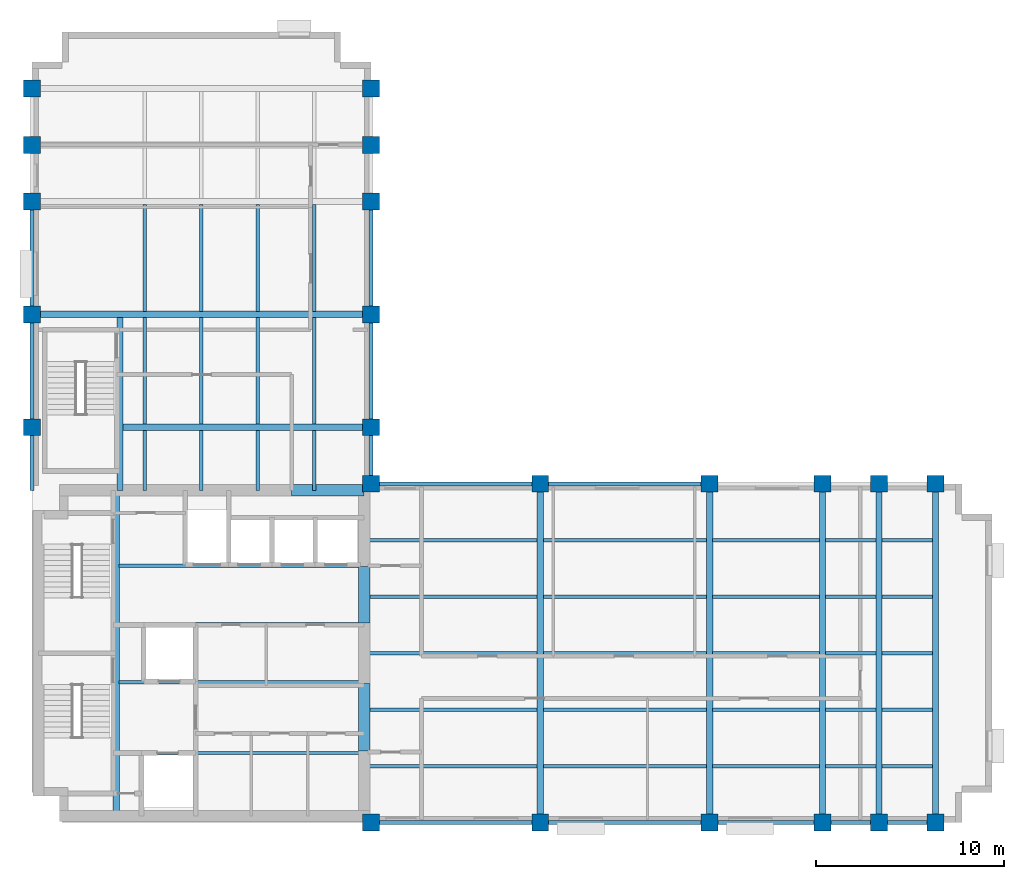
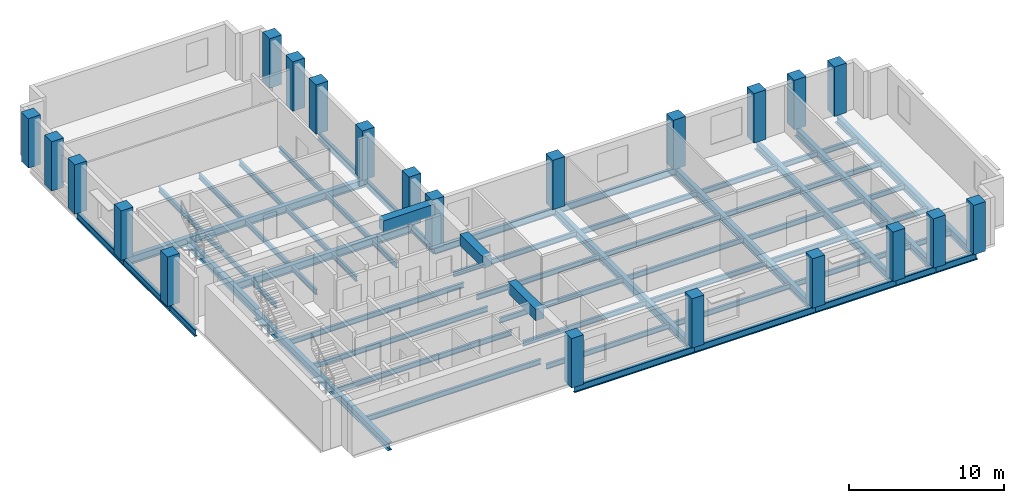
# One storey, part 1 of 7: 66 beams, 22 columns.
"""IFC4 building model written with IfcOpenShell, lengths in metres."""

from ifc_helpers import new_model, si_unit, direction, frame, origin, origin_2d, place, context, subcontext, project, spatial, rectangle, i_section, extrude, material, material_profile, profile_set, type_object, element, save


model = new_model("IFC4")

# Units and contexts
model_context = context("Model", 3, precision=1e-05, world=origin(), true_north=direction((0.0, 1.0)))
body_context = subcontext(model_context, "Body", "Model", "MODEL_VIEW")
ifc_project = project(units=[si_unit("LENGTHUNIT", "METRE"), si_unit("AREAUNIT", "SQUARE_METRE"), si_unit("VOLUMEUNIT", "CUBIC_METRE"), si_unit("PLANEANGLEUNIT", "RADIAN"), si_unit("MASSUNIT", "GRAM", prefix="KILO")], contexts=[model_context])

# Site, building, storey
site_placement = place(None, origin())
site = spatial("IfcSite", under=ifc_project, at=site_placement, CompositionType="ELEMENT")
building_placement = place(site_placement, origin())
building = spatial("IfcBuilding", under=site, at=building_placement, Name="Mawjdan Bourse Tower", CompositionType="ELEMENT")
storey_placement = place(building_placement, frame((0.0, 0.0, 168.300048828125)))
storey = spatial("IfcBuildingStorey", under=building, at=storey_placement, Name="L40", CompositionType="ELEMENT", Elevation=168.300048828125)

# Columns
ifc_material_1 = material(Name="Concrete C70/85", Category="concrete")
ifc_material_profile_1 = material_profile(ifc_material_1, rectangle(XDim=0.89990234375, YDim=0.89990234375, at=origin_2d()), Name="RC900X900")
ifc_profile_set_1 = profile_set([ifc_material_profile_1], Name="Concrete C70/85")
column_type = type_object("IfcColumnType", Name="COL-RC900X900", PredefinedType="COLUMN", material=ifc_profile_set_1)
for number, where, z_axis, x_axis, name in (
    (1, (24.0, 3.0, 0.0), (0.0, 0.0, 1.0), (1.0, 0.0, 0.0), "L40 Structural Column C-X240-Y30"),
    (2, (24.0, 21.0, 0.0), (0.0, 0.0, 1.0), (1.0, 0.0, 0.0), "L40 Structural Column C-X240-Y210"),
    (3, (33.0, 3.0, 0.0), (0.0, 0.0, 1.0), (1.0, 0.0, 0.0), "L40 Structural Column C-X330-Y30"),
    (4, (33.0, 21.0, 0.0), (0.0, 0.0, 1.0), (1.0, 0.0, 0.0), "L40 Structural Column C-X330-Y210"),
    (5, (42.0, 3.0, 0.0), (0.0, 0.0, 1.0), (1.0, 0.0, 0.0), "L40 Structural Column C-X420-Y30"),
    (6, (42.0, 21.0, 0.0), (0.0, 0.0, 1.0), (1.0, 0.0, 0.0), "L40 Structural Column C-X420-Y210"),
    (7, (48.0, 3.0, 0.0), (0.0, 0.0, 1.0), (1.0, 0.0, 0.0), "L40 Structural Column C-X480-Y30"),
    (8, (48.0, 21.0, 0.0), (0.0, 0.0, 1.0), (1.0, 0.0, 0.0), "L40 Structural Column C-X480-Y210"),
    (9, (51.0, 3.0, 0.0), (0.0, 0.0, 1.0), (1.0, 0.0, 0.0), "L40 Structural Column C-X510-Y30"),
    (10, (51.0, 21.0, 0.0), (0.0, 0.0, 1.0), (1.0, 0.0, 0.0), "L40 Structural Column C-X510-Y210"),
    (11, (54.0, 3.0, 0.0), (0.0, 0.0, 1.0), (1.0, 0.0, 0.0), "L40 Structural Column C-X540-Y30"),
    (12, (54.0, 21.0, 0.0), (0.0, 0.0, 1.0), (1.0, 0.0, 0.0), "L40 Structural Column C-X540-Y210"),
    (13, (6.0, 24.0, 0.0), (0.0, 0.0, 1.0), (1.0, 0.0, 0.0), "L40 Structural Column C-X60-Y240"),
    (14, (24.0, 24.0, 0.0), (0.0, 0.0, 1.0), (1.0, 0.0, 0.0), "L40 Structural Column C-X240-Y240"),
    (15, (6.0, 30.0, 0.0), (0.0, 0.0, 1.0), (1.0, 0.0, 0.0), "L40 Structural Column C-X60-Y300"),
    (16, (24.0, 30.0, 0.0), (0.0, 0.0, 1.0), (1.0, 0.0, 0.0), "L40 Structural Column C-X240-Y300"),
    (17, (6.0, 36.0, 0.0), (0.0, 0.0, 1.0), (1.0, 0.0, 0.0), "L40 Structural Column C-X60-Y360"),
    (18, (24.0, 36.0, 0.0), (0.0, 0.0, 1.0), (1.0, 0.0, 0.0), "L40 Structural Column C-X240-Y360"),
    (19, (6.0, 39.0, 0.0), (0.0, 0.0, 1.0), (1.0, 0.0, 0.0), "L40 Structural Column C-X60-Y390"),
    (20, (24.0, 39.0, 0.0), (0.0, 0.0, 1.0), (1.0, 0.0, 0.0), "L40 Structural Column C-X240-Y390"),
    (21, (6.0, 42.0, 0.0), (0.0, 0.0, 1.0), (1.0, 0.0, 0.0), "L40 Structural Column C-X60-Y420"),
    (22, (24.0, 42.0, 0.0), (0.0, 0.0, 1.0), (1.0, 0.0, 0.0), "L40 Structural Column C-X240-Y420"),
):
    element("IfcColumn", number, at=place(storey_placement, frame(where, z_axis=z_axis, x_axis=x_axis)), inside=storey, type_object=column_type, Name=name, PredefinedType="COLUMN", context=body_context, shape_type="SweptSolid", body=[
        extrude(rectangle(XDim=0.89990234375, YDim=0.89990234375, at=origin_2d()), origin(), (0.0, 0.0, 1.0), 3.89990234375),
    ])

# Beams
ifc_material_2 = material(Name="Structural Steel S355", Category="steel")
ifc_material_profile_2 = material_profile(ifc_material_2, i_section(OverallWidth=0.324951171875, OverallDepth=0.616943359375, WebThickness=0.013916015625, FlangeThickness=0.021484375, FilletRadius=0.017333984375, at=origin_2d()), Name="W24X117")
ifc_profile_set_2 = profile_set([ifc_material_profile_2], Name="Structural Steel S355")
beam_type_1 = type_object("IfcBeamType", Name="GRD-W24X117", PredefinedType="BEAM", material=ifc_profile_set_2)
beam_1_placement = place(storey_placement, frame((10.47998046875, 3.35009765625, -0.508544921875), z_axis=(0.0, 1.0, 0.0), x_axis=(-1.0, 0.0, 0.0)))
element("IfcBeam", 23, at=beam_1_placement, inside=storey, type_object=beam_type_1, Name="L40 Core Stair Trimmer Girder 001", PredefinedType="BEAM", context=body_context, shape_type="SweptSolid", body=[
    extrude(i_section(OverallWidth=0.324951171875, OverallDepth=0.616943359375, WebThickness=0.013916015625, FlangeThickness=0.021484375, FilletRadius=0.017333984375, at=origin_2d()), origin(), (0.0, 0.0, 1.0), 17.2998046875),
])
for number, where, z_axis, x_axis, name in (
    (24, (33.0, 3.0, -0.508544921875), (0.0, 1.0, 0.0), (-1.0, 0.0, 0.0), "L40 East Wing Clear-Span Girder 002"),
    (25, (42.0, 3.0, -0.508544921875), (0.0, 1.0, 0.0), (-1.0, 0.0, 0.0), "L40 East Wing Clear-Span Girder 003"),
    (26, (48.0, 3.0, -0.508544921875), (0.0, 1.0, 0.0), (-1.0, 0.0, 0.0), "L40 East Wing Clear-Span Girder 004"),
    (27, (51.0, 3.0, -0.508544921875), (0.0, 1.0, 0.0), (-1.0, 0.0, 0.0), "L40 East Wing Clear-Span Girder 005"),
    (28, (54.0, 3.0, -0.508544921875), (0.0, 1.0, 0.0), (-1.0, 0.0, 0.0), "L40 East Wing Clear-Span Girder 006"),
):
    element("IfcBeam", number, at=place(storey_placement, frame(where, z_axis=z_axis, x_axis=x_axis)), inside=storey, type_object=beam_type_1, Name=name, PredefinedType="BEAM", context=body_context, shape_type="SweptSolid", body=[
        extrude(i_section(OverallWidth=0.324951171875, OverallDepth=0.616943359375, WebThickness=0.013916015625, FlangeThickness=0.021484375, FilletRadius=0.017333984375, at=origin_2d()), origin(), (0.0, 0.0, 1.0), 18.0),
    ])
beam_2_placement = place(storey_placement, frame((10.679931640625, 20.64990234375, -0.508544921875), z_axis=(0.0, 1.0, 0.0), x_axis=(-1.0, 0.0, 0.0)))
element("IfcBeam", 29, at=beam_2_placement, inside=storey, type_object=beam_type_1, Name="L40 North Wing Stair Trimmer Girder 046", PredefinedType="BEAM", context=body_context, shape_type="SweptSolid", body=[
    extrude(i_section(OverallWidth=0.324951171875, OverallDepth=0.616943359375, WebThickness=0.013916015625, FlangeThickness=0.021484375, FilletRadius=0.017333984375, at=origin_2d()), origin(), (0.0, 0.0, 1.0), 9.189697265625),
])
beam_3_placement = place(storey_placement, frame((10.840576171875, 24.0, -0.508544921875), z_axis=(1.0, 0.0, 0.0), x_axis=(0.0, 1.0, 0.0)))
element("IfcBeam", 30, at=beam_3_placement, inside=storey, type_object=beam_type_1, Name="L40 North Wing Clear-Span Girder 047", PredefinedType="BEAM", context=body_context, shape_type="SweptSolid", body=[
    extrude(i_section(OverallWidth=0.324951171875, OverallDepth=0.616943359375, WebThickness=0.013916015625, FlangeThickness=0.021484375, FilletRadius=0.017333984375, at=origin_2d()), origin(), (0.0, 0.0, 1.0), 13.159423828125),
])
beam_4_placement = place(storey_placement, frame((6.0, 30.0, -0.508544921875), z_axis=(1.0, 0.0, 0.0), x_axis=(0.0, 1.0, 0.0)))
element("IfcBeam", 31, at=beam_4_placement, inside=storey, type_object=beam_type_1, Name="L40 North Wing Clear-Span Girder 048", PredefinedType="BEAM", context=body_context, shape_type="SweptSolid", body=[
    extrude(i_section(OverallWidth=0.324951171875, OverallDepth=0.616943359375, WebThickness=0.013916015625, FlangeThickness=0.021484375, FilletRadius=0.017333984375, at=origin_2d()), origin(), (0.0, 0.0, 1.0), 18.0),
])
ifc_material_profile_3 = material_profile(ifc_material_2, i_section(OverallWidth=0.177978515625, OverallDepth=0.406982421875, WebThickness=0.0078125, FlangeThickness=0.0126953125, FilletRadius=0.01025390625, at=origin_2d()), Name="W16X40")
ifc_profile_set_3 = profile_set([ifc_material_profile_3], Name="Structural Steel S355")
beam_type_2 = type_object("IfcBeamType", Name="JST-W16X40", PredefinedType="JOIST", material=ifc_profile_set_3)
beam_5_placement = place(storey_placement, frame((23.64990234375, 6.0, -0.403564453125), z_axis=(1.0, 0.0, 0.0), x_axis=(0.0, 1.0, 0.0)))
element("IfcBeam", 32, at=beam_5_placement, inside=storey, type_object=beam_type_2, Name="L40 East Wing Composite Joist 017", PredefinedType="JOIST", context=body_context, shape_type="SweptSolid", body=[
    extrude(i_section(OverallWidth=0.177978515625, OverallDepth=0.406982421875, WebThickness=0.0078125, FlangeThickness=0.0126953125, FilletRadius=0.01025390625, at=origin_2d()), origin(), (0.0, 0.0, 1.0), 9.189697265625),
])
beam_6_placement = place(storey_placement, frame((33.160400390625, 6.0, -0.403564453125), z_axis=(1.0, 0.0, 0.0), x_axis=(0.0, 1.0, 0.0)))
element("IfcBeam", 33, at=beam_6_placement, inside=storey, type_object=beam_type_2, Name="L40 East Wing Composite Joist 018", PredefinedType="JOIST", context=body_context, shape_type="SweptSolid", body=[
    extrude(i_section(OverallWidth=0.177978515625, OverallDepth=0.406982421875, WebThickness=0.0078125, FlangeThickness=0.0126953125, FilletRadius=0.01025390625, at=origin_2d()), origin(), (0.0, 0.0, 1.0), 8.67919921875),
])
beam_7_placement = place(storey_placement, frame((42.160400390625, 6.0, -0.403564453125), z_axis=(1.0, 0.0, 0.0), x_axis=(0.0, 1.0, 0.0)))
element("IfcBeam", 34, at=beam_7_placement, inside=storey, type_object=beam_type_2, Name="L40 East Wing Composite Joist 019", PredefinedType="JOIST", context=body_context, shape_type="SweptSolid", body=[
    extrude(i_section(OverallWidth=0.177978515625, OverallDepth=0.406982421875, WebThickness=0.0078125, FlangeThickness=0.0126953125, FilletRadius=0.01025390625, at=origin_2d()), origin(), (0.0, 0.0, 1.0), 5.67919921875),
])
for number, where, z_axis, x_axis, name in (
    (35, (48.160400390625, 6.0, -0.403564453125), (1.0, 0.0, 0.0), (0.0, 1.0, 0.0), "L40 East Wing Composite Joist 020"),
    (36, (51.160400390625, 6.0, -0.403564453125), (1.0, 0.0, 0.0), (0.0, 1.0, 0.0), "L40 East Wing Composite Joist 021"),
):
    element("IfcBeam", number, at=place(storey_placement, frame(where, z_axis=z_axis, x_axis=x_axis)), inside=storey, type_object=beam_type_2, Name=name, PredefinedType="JOIST", context=body_context, shape_type="SweptSolid", body=[
        extrude(i_section(OverallWidth=0.177978515625, OverallDepth=0.406982421875, WebThickness=0.0078125, FlangeThickness=0.0126953125, FilletRadius=0.01025390625, at=origin_2d()), origin(), (0.0, 0.0, 1.0), 2.67919921875),
    ])
beam_8_placement = place(storey_placement, frame((23.64990234375, 9.0, -0.403564453125), z_axis=(1.0, 0.0, 0.0), x_axis=(0.0, 1.0, 0.0)))
element("IfcBeam", 37, at=beam_8_placement, inside=storey, type_object=beam_type_2, Name="L40 East Wing Composite Joist 022", PredefinedType="JOIST", context=body_context, shape_type="SweptSolid", body=[
    extrude(i_section(OverallWidth=0.177978515625, OverallDepth=0.406982421875, WebThickness=0.0078125, FlangeThickness=0.0126953125, FilletRadius=0.01025390625, at=origin_2d()), origin(), (0.0, 0.0, 1.0), 9.189697265625),
])
beam_9_placement = place(storey_placement, frame((33.160400390625, 9.0, -0.403564453125), z_axis=(1.0, 0.0, 0.0), x_axis=(0.0, 1.0, 0.0)))
element("IfcBeam", 38, at=beam_9_placement, inside=storey, type_object=beam_type_2, Name="L40 East Wing Composite Joist 023", PredefinedType="JOIST", context=body_context, shape_type="SweptSolid", body=[
    extrude(i_section(OverallWidth=0.177978515625, OverallDepth=0.406982421875, WebThickness=0.0078125, FlangeThickness=0.0126953125, FilletRadius=0.01025390625, at=origin_2d()), origin(), (0.0, 0.0, 1.0), 8.67919921875),
])
beam_10_placement = place(storey_placement, frame((42.160400390625, 9.0, -0.403564453125), z_axis=(1.0, 0.0, 0.0), x_axis=(0.0, 1.0, 0.0)))
element("IfcBeam", 39, at=beam_10_placement, inside=storey, type_object=beam_type_2, Name="L40 East Wing Composite Joist 024", PredefinedType="JOIST", context=body_context, shape_type="SweptSolid", body=[
    extrude(i_section(OverallWidth=0.177978515625, OverallDepth=0.406982421875, WebThickness=0.0078125, FlangeThickness=0.0126953125, FilletRadius=0.01025390625, at=origin_2d()), origin(), (0.0, 0.0, 1.0), 5.67919921875),
])
for number, where, z_axis, x_axis, name in (
    (40, (48.160400390625, 9.0, -0.403564453125), (1.0, 0.0, 0.0), (0.0, 1.0, 0.0), "L40 East Wing Composite Joist 025"),
    (41, (51.160400390625, 9.0, -0.403564453125), (1.0, 0.0, 0.0), (0.0, 1.0, 0.0), "L40 East Wing Composite Joist 026"),
):
    element("IfcBeam", number, at=place(storey_placement, frame(where, z_axis=z_axis, x_axis=x_axis)), inside=storey, type_object=beam_type_2, Name=name, PredefinedType="JOIST", context=body_context, shape_type="SweptSolid", body=[
        extrude(i_section(OverallWidth=0.177978515625, OverallDepth=0.406982421875, WebThickness=0.0078125, FlangeThickness=0.0126953125, FilletRadius=0.01025390625, at=origin_2d()), origin(), (0.0, 0.0, 1.0), 2.67919921875),
    ])
beam_11_placement = place(storey_placement, frame((23.64990234375, 12.0, -0.403564453125), z_axis=(1.0, 0.0, 0.0), x_axis=(0.0, 1.0, 0.0)))
element("IfcBeam", 42, at=beam_11_placement, inside=storey, type_object=beam_type_2, Name="L40 East Wing Composite Joist 027", PredefinedType="JOIST", context=body_context, shape_type="SweptSolid", body=[
    extrude(i_section(OverallWidth=0.177978515625, OverallDepth=0.406982421875, WebThickness=0.0078125, FlangeThickness=0.0126953125, FilletRadius=0.01025390625, at=origin_2d()), origin(), (0.0, 0.0, 1.0), 9.189697265625),
])
beam_12_placement = place(storey_placement, frame((33.160400390625, 12.0, -0.403564453125), z_axis=(1.0, 0.0, 0.0), x_axis=(0.0, 1.0, 0.0)))
element("IfcBeam", 43, at=beam_12_placement, inside=storey, type_object=beam_type_2, Name="L40 East Wing Composite Joist 028", PredefinedType="JOIST", context=body_context, shape_type="SweptSolid", body=[
    extrude(i_section(OverallWidth=0.177978515625, OverallDepth=0.406982421875, WebThickness=0.0078125, FlangeThickness=0.0126953125, FilletRadius=0.01025390625, at=origin_2d()), origin(), (0.0, 0.0, 1.0), 8.67919921875),
])
beam_13_placement = place(storey_placement, frame((42.160400390625, 12.0, -0.403564453125), z_axis=(1.0, 0.0, 0.0), x_axis=(0.0, 1.0, 0.0)))
element("IfcBeam", 44, at=beam_13_placement, inside=storey, type_object=beam_type_2, Name="L40 East Wing Composite Joist 029", PredefinedType="JOIST", context=body_context, shape_type="SweptSolid", body=[
    extrude(i_section(OverallWidth=0.177978515625, OverallDepth=0.406982421875, WebThickness=0.0078125, FlangeThickness=0.0126953125, FilletRadius=0.01025390625, at=origin_2d()), origin(), (0.0, 0.0, 1.0), 5.67919921875),
])
for number, where, z_axis, x_axis, name in (
    (45, (48.160400390625, 12.0, -0.403564453125), (1.0, 0.0, 0.0), (0.0, 1.0, 0.0), "L40 East Wing Composite Joist 030"),
    (46, (51.160400390625, 12.0, -0.403564453125), (1.0, 0.0, 0.0), (0.0, 1.0, 0.0), "L40 East Wing Composite Joist 031"),
):
    element("IfcBeam", number, at=place(storey_placement, frame(where, z_axis=z_axis, x_axis=x_axis)), inside=storey, type_object=beam_type_2, Name=name, PredefinedType="JOIST", context=body_context, shape_type="SweptSolid", body=[
        extrude(i_section(OverallWidth=0.177978515625, OverallDepth=0.406982421875, WebThickness=0.0078125, FlangeThickness=0.0126953125, FilletRadius=0.01025390625, at=origin_2d()), origin(), (0.0, 0.0, 1.0), 2.67919921875),
    ])
beam_14_placement = place(storey_placement, frame((23.64990234375, 15.0, -0.403564453125), z_axis=(1.0, 0.0, 0.0), x_axis=(0.0, 1.0, 0.0)))
element("IfcBeam", 47, at=beam_14_placement, inside=storey, type_object=beam_type_2, Name="L40 East Wing Composite Joist 032", PredefinedType="JOIST", context=body_context, shape_type="SweptSolid", body=[
    extrude(i_section(OverallWidth=0.177978515625, OverallDepth=0.406982421875, WebThickness=0.0078125, FlangeThickness=0.0126953125, FilletRadius=0.01025390625, at=origin_2d()), origin(), (0.0, 0.0, 1.0), 9.189697265625),
])
beam_15_placement = place(storey_placement, frame((33.160400390625, 15.0, -0.403564453125), z_axis=(1.0, 0.0, 0.0), x_axis=(0.0, 1.0, 0.0)))
element("IfcBeam", 48, at=beam_15_placement, inside=storey, type_object=beam_type_2, Name="L40 East Wing Composite Joist 033", PredefinedType="JOIST", context=body_context, shape_type="SweptSolid", body=[
    extrude(i_section(OverallWidth=0.177978515625, OverallDepth=0.406982421875, WebThickness=0.0078125, FlangeThickness=0.0126953125, FilletRadius=0.01025390625, at=origin_2d()), origin(), (0.0, 0.0, 1.0), 8.67919921875),
])
beam_16_placement = place(storey_placement, frame((42.160400390625, 15.0, -0.403564453125), z_axis=(1.0, 0.0, 0.0), x_axis=(0.0, 1.0, 0.0)))
element("IfcBeam", 49, at=beam_16_placement, inside=storey, type_object=beam_type_2, Name="L40 East Wing Composite Joist 034", PredefinedType="JOIST", context=body_context, shape_type="SweptSolid", body=[
    extrude(i_section(OverallWidth=0.177978515625, OverallDepth=0.406982421875, WebThickness=0.0078125, FlangeThickness=0.0126953125, FilletRadius=0.01025390625, at=origin_2d()), origin(), (0.0, 0.0, 1.0), 5.67919921875),
])
for number, where, z_axis, x_axis, name in (
    (50, (48.160400390625, 15.0, -0.403564453125), (1.0, 0.0, 0.0), (0.0, 1.0, 0.0), "L40 East Wing Composite Joist 035"),
    (51, (51.160400390625, 15.0, -0.403564453125), (1.0, 0.0, 0.0), (0.0, 1.0, 0.0), "L40 East Wing Composite Joist 036"),
):
    element("IfcBeam", number, at=place(storey_placement, frame(where, z_axis=z_axis, x_axis=x_axis)), inside=storey, type_object=beam_type_2, Name=name, PredefinedType="JOIST", context=body_context, shape_type="SweptSolid", body=[
        extrude(i_section(OverallWidth=0.177978515625, OverallDepth=0.406982421875, WebThickness=0.0078125, FlangeThickness=0.0126953125, FilletRadius=0.01025390625, at=origin_2d()), origin(), (0.0, 0.0, 1.0), 2.67919921875),
    ])
beam_17_placement = place(storey_placement, frame((23.64990234375, 18.0, -0.403564453125), z_axis=(1.0, 0.0, 0.0), x_axis=(0.0, 1.0, 0.0)))
element("IfcBeam", 52, at=beam_17_placement, inside=storey, type_object=beam_type_2, Name="L40 East Wing Composite Joist 037", PredefinedType="JOIST", context=body_context, shape_type="SweptSolid", body=[
    extrude(i_section(OverallWidth=0.177978515625, OverallDepth=0.406982421875, WebThickness=0.0078125, FlangeThickness=0.0126953125, FilletRadius=0.01025390625, at=origin_2d()), origin(), (0.0, 0.0, 1.0), 9.189697265625),
])
beam_18_placement = place(storey_placement, frame((33.160400390625, 18.0, -0.403564453125), z_axis=(1.0, 0.0, 0.0), x_axis=(0.0, 1.0, 0.0)))
element("IfcBeam", 53, at=beam_18_placement, inside=storey, type_object=beam_type_2, Name="L40 East Wing Composite Joist 038", PredefinedType="JOIST", context=body_context, shape_type="SweptSolid", body=[
    extrude(i_section(OverallWidth=0.177978515625, OverallDepth=0.406982421875, WebThickness=0.0078125, FlangeThickness=0.0126953125, FilletRadius=0.01025390625, at=origin_2d()), origin(), (0.0, 0.0, 1.0), 8.67919921875),
])
beam_19_placement = place(storey_placement, frame((42.160400390625, 18.0, -0.403564453125), z_axis=(1.0, 0.0, 0.0), x_axis=(0.0, 1.0, 0.0)))
element("IfcBeam", 54, at=beam_19_placement, inside=storey, type_object=beam_type_2, Name="L40 East Wing Composite Joist 039", PredefinedType="JOIST", context=body_context, shape_type="SweptSolid", body=[
    extrude(i_section(OverallWidth=0.177978515625, OverallDepth=0.406982421875, WebThickness=0.0078125, FlangeThickness=0.0126953125, FilletRadius=0.01025390625, at=origin_2d()), origin(), (0.0, 0.0, 1.0), 5.67919921875),
])
for number, where, z_axis, x_axis, name in (
    (55, (48.160400390625, 18.0, -0.403564453125), (1.0, 0.0, 0.0), (0.0, 1.0, 0.0), "L40 East Wing Composite Joist 040"),
    (56, (51.160400390625, 18.0, -0.403564453125), (1.0, 0.0, 0.0), (0.0, 1.0, 0.0), "L40 East Wing Composite Joist 041"),
):
    element("IfcBeam", number, at=place(storey_placement, frame(where, z_axis=z_axis, x_axis=x_axis)), inside=storey, type_object=beam_type_2, Name=name, PredefinedType="JOIST", context=body_context, shape_type="SweptSolid", body=[
        extrude(i_section(OverallWidth=0.177978515625, OverallDepth=0.406982421875, WebThickness=0.0078125, FlangeThickness=0.0126953125, FilletRadius=0.01025390625, at=origin_2d()), origin(), (0.0, 0.0, 1.0), 2.67919921875),
    ])
for number, where, z_axis, x_axis, name in (
    (57, (10.640380859375, 6.699951171875, -0.403564453125), (1.0, 0.0, 0.0), (0.0, 1.0, 0.0), "L40 Core Floor Joist 042"),
    (58, (10.640380859375, 10.449951171875, -0.403564453125), (1.0, 0.0, 0.0), (0.0, 1.0, 0.0), "L40 Core Floor Joist 043"),
    (59, (10.640380859375, 13.550048828125, -0.403564453125), (1.0, 0.0, 0.0), (0.0, 1.0, 0.0), "L40 Core Floor Joist 044"),
    (60, (10.640380859375, 16.64990234375, -0.403564453125), (1.0, 0.0, 0.0), (0.0, 1.0, 0.0), "L40 Core Floor Joist 045"),
):
    element("IfcBeam", number, at=place(storey_placement, frame(where, z_axis=z_axis, x_axis=x_axis)), inside=storey, type_object=beam_type_2, Name=name, PredefinedType="JOIST", context=body_context, shape_type="SweptSolid", body=[
        extrude(i_section(OverallWidth=0.177978515625, OverallDepth=0.406982421875, WebThickness=0.0078125, FlangeThickness=0.0126953125, FilletRadius=0.01025390625, at=origin_2d()), origin(), (0.0, 0.0, 1.0), 13.009521484375),
    ])
beam_20_placement = place(storey_placement, frame((12.0, 20.64990234375, -0.403564453125), z_axis=(0.0, 1.0, 0.0), x_axis=(-1.0, 0.0, 0.0)))
element("IfcBeam", 61, at=beam_20_placement, inside=storey, type_object=beam_type_2, Name="L40 North Wing Composite Joist 062", PredefinedType="JOIST", context=body_context, shape_type="SweptSolid", body=[
    extrude(i_section(OverallWidth=0.177978515625, OverallDepth=0.406982421875, WebThickness=0.0078125, FlangeThickness=0.0126953125, FilletRadius=0.01025390625, at=origin_2d()), origin(), (0.0, 0.0, 1.0), 3.189697265625),
])
for number, where, z_axis, x_axis, name in (
    (62, (12.0, 24.160400390625, -0.403564453125), (0.0, 1.0, 0.0), (-1.0, 0.0, 0.0), "L40 North Wing Composite Joist 063"),
    (63, (12.0, 30.160400390625, -0.403564453125), (0.0, 1.0, 0.0), (-1.0, 0.0, 0.0), "L40 North Wing Composite Joist 064"),
):
    element("IfcBeam", number, at=place(storey_placement, frame(where, z_axis=z_axis, x_axis=x_axis)), inside=storey, type_object=beam_type_2, Name=name, PredefinedType="JOIST", context=body_context, shape_type="SweptSolid", body=[
        extrude(i_section(OverallWidth=0.177978515625, OverallDepth=0.406982421875, WebThickness=0.0078125, FlangeThickness=0.0126953125, FilletRadius=0.01025390625, at=origin_2d()), origin(), (0.0, 0.0, 1.0), 5.67919921875),
    ])
beam_21_placement = place(storey_placement, frame((15.0, 20.64990234375, -0.403564453125), z_axis=(0.0, 1.0, 0.0), x_axis=(-1.0, 0.0, 0.0)))
element("IfcBeam", 64, at=beam_21_placement, inside=storey, type_object=beam_type_2, Name="L40 North Wing Composite Joist 067", PredefinedType="JOIST", context=body_context, shape_type="SweptSolid", body=[
    extrude(i_section(OverallWidth=0.177978515625, OverallDepth=0.406982421875, WebThickness=0.0078125, FlangeThickness=0.0126953125, FilletRadius=0.01025390625, at=origin_2d()), origin(), (0.0, 0.0, 1.0), 3.189697265625),
])
for number, where, z_axis, x_axis, name in (
    (65, (15.0, 24.160400390625, -0.403564453125), (0.0, 1.0, 0.0), (-1.0, 0.0, 0.0), "L40 North Wing Composite Joist 068"),
    (66, (15.0, 30.160400390625, -0.403564453125), (0.0, 1.0, 0.0), (-1.0, 0.0, 0.0), "L40 North Wing Composite Joist 069"),
):
    element("IfcBeam", number, at=place(storey_placement, frame(where, z_axis=z_axis, x_axis=x_axis)), inside=storey, type_object=beam_type_2, Name=name, PredefinedType="JOIST", context=body_context, shape_type="SweptSolid", body=[
        extrude(i_section(OverallWidth=0.177978515625, OverallDepth=0.406982421875, WebThickness=0.0078125, FlangeThickness=0.0126953125, FilletRadius=0.01025390625, at=origin_2d()), origin(), (0.0, 0.0, 1.0), 5.67919921875),
    ])
beam_22_placement = place(storey_placement, frame((18.0, 20.64990234375, -0.403564453125), z_axis=(0.0, 1.0, 0.0), x_axis=(-1.0, 0.0, 0.0)))
element("IfcBeam", 67, at=beam_22_placement, inside=storey, type_object=beam_type_2, Name="L40 North Wing Composite Joist 072", PredefinedType="JOIST", context=body_context, shape_type="SweptSolid", body=[
    extrude(i_section(OverallWidth=0.177978515625, OverallDepth=0.406982421875, WebThickness=0.0078125, FlangeThickness=0.0126953125, FilletRadius=0.01025390625, at=origin_2d()), origin(), (0.0, 0.0, 1.0), 3.189697265625),
])
for number, where, z_axis, x_axis, name in (
    (68, (18.0, 24.160400390625, -0.403564453125), (0.0, 1.0, 0.0), (-1.0, 0.0, 0.0), "L40 North Wing Composite Joist 073"),
    (69, (18.0, 30.160400390625, -0.403564453125), (0.0, 1.0, 0.0), (-1.0, 0.0, 0.0), "L40 North Wing Composite Joist 074"),
):
    element("IfcBeam", number, at=place(storey_placement, frame(where, z_axis=z_axis, x_axis=x_axis)), inside=storey, type_object=beam_type_2, Name=name, PredefinedType="JOIST", context=body_context, shape_type="SweptSolid", body=[
        extrude(i_section(OverallWidth=0.177978515625, OverallDepth=0.406982421875, WebThickness=0.0078125, FlangeThickness=0.0126953125, FilletRadius=0.01025390625, at=origin_2d()), origin(), (0.0, 0.0, 1.0), 5.67919921875),
    ])
beam_23_placement = place(storey_placement, frame((21.0, 20.64990234375, -0.403564453125), z_axis=(0.0, 1.0, 0.0), x_axis=(-1.0, 0.0, 0.0)))
element("IfcBeam", 70, at=beam_23_placement, inside=storey, type_object=beam_type_2, Name="L40 North Wing Composite Joist 077", PredefinedType="JOIST", context=body_context, shape_type="SweptSolid", body=[
    extrude(i_section(OverallWidth=0.177978515625, OverallDepth=0.406982421875, WebThickness=0.0078125, FlangeThickness=0.0126953125, FilletRadius=0.01025390625, at=origin_2d()), origin(), (0.0, 0.0, 1.0), 3.189697265625),
])
for number, where, z_axis, x_axis, name in (
    (71, (21.0, 24.160400390625, -0.403564453125), (0.0, 1.0, 0.0), (-1.0, 0.0, 0.0), "L40 North Wing Composite Joist 078"),
    (72, (21.0, 30.160400390625, -0.403564453125), (0.0, 1.0, 0.0), (-1.0, 0.0, 0.0), "L40 North Wing Composite Joist 079"),
):
    element("IfcBeam", number, at=place(storey_placement, frame(where, z_axis=z_axis, x_axis=x_axis)), inside=storey, type_object=beam_type_2, Name=name, PredefinedType="JOIST", context=body_context, shape_type="SweptSolid", body=[
        extrude(i_section(OverallWidth=0.177978515625, OverallDepth=0.406982421875, WebThickness=0.0078125, FlangeThickness=0.0126953125, FilletRadius=0.01025390625, at=origin_2d()), origin(), (0.0, 0.0, 1.0), 5.67919921875),
    ])
ifc_material_profile_4 = material_profile(ifc_material_1, rectangle(XDim=0.60009765625, YDim=0.89990234375, at=origin_2d()), Name="RCB600X900")
ifc_profile_set_4 = profile_set([ifc_material_profile_4], Name="Concrete C70/85")
beam_type_3 = type_object("IfcBeamType", Name="LNT-RCB600X900", PredefinedType="LINTEL", material=ifc_profile_set_4)
beam_24_placement = place(storey_placement, frame((23.64990234375, 6.800048828125, 3.25), z_axis=(0.0, 1.0, 0.0), x_axis=(-1.0, 0.0, 0.0)))
element("IfcBeam", 73, at=beam_24_placement, inside=storey, type_object=beam_type_3, Name="L40 Coupled Core Lintel CB-E1", PredefinedType="LINTEL", context=body_context, shape_type="SweptSolid", body=[
    extrude(rectangle(XDim=0.60009765625, YDim=0.89990234375, at=origin_2d()), origin(), (0.0, 0.0, 1.0), 3.599853515625),
])
beam_25_placement = place(storey_placement, frame((23.64990234375, 13.60009765625, 3.25), z_axis=(0.0, 1.0, 0.0), x_axis=(-1.0, 0.0, 0.0)))
element("IfcBeam", 74, at=beam_25_placement, inside=storey, type_object=beam_type_3, Name="L40 Coupled Core Lintel CB-E2", PredefinedType="LINTEL", context=body_context, shape_type="SweptSolid", body=[
    extrude(rectangle(XDim=0.60009765625, YDim=0.89990234375, at=origin_2d()), origin(), (0.0, 0.0, 1.0), 3.0),
])
beam_26_placement = place(storey_placement, frame((19.800048828125, 20.64990234375, 3.25), z_axis=(1.0, 0.0, 0.0), x_axis=(0.0, 1.0, 0.0)))
element("IfcBeam", 75, at=beam_26_placement, inside=storey, type_object=beam_type_3, Name="L40 Coupled Core Lintel CB-N1", PredefinedType="LINTEL", context=body_context, shape_type="SweptSolid", body=[
    extrude(rectangle(XDim=0.60009765625, YDim=0.89990234375, at=origin_2d()), origin(), (0.0, 0.0, 1.0), 3.849853515625),
])
ifc_material_profile_5 = material_profile(ifc_material_2, i_section(OverallWidth=0.2119140625, OverallDepth=0.5439453125, WebThickness=0.01318359375, FlangeThickness=0.021240234375, FilletRadius=0.01708984375, at=origin_2d()), Name="W21X83")
ifc_profile_set_5 = profile_set([ifc_material_profile_5], Name="Structural Steel S355")
beam_type_4 = type_object("IfcBeamType", Name="SPN-W21X83", PredefinedType="SPANDREL", material=ifc_profile_set_5)
for number, where, z_axis, x_axis, name in (
    (76, (24.0, 3.0, -0.47216796875), (1.0, 0.0, 0.0), (0.0, 1.0, 0.0), "L40 Perimeter Masonry-Shelf Spandrel 007"),
    (77, (33.0, 3.0, -0.47216796875), (1.0, 0.0, 0.0), (0.0, 1.0, 0.0), "L40 Perimeter Masonry-Shelf Spandrel 008"),
):
    element("IfcBeam", number, at=place(storey_placement, frame(where, z_axis=z_axis, x_axis=x_axis)), inside=storey, type_object=beam_type_4, Name=name, PredefinedType="SPANDREL", context=body_context, shape_type="SweptSolid", body=[
        extrude(i_section(OverallWidth=0.2119140625, OverallDepth=0.5439453125, WebThickness=0.01318359375, FlangeThickness=0.021240234375, FilletRadius=0.01708984375, at=origin_2d()), origin(), (0.0, 0.0, 1.0), 9.0),
    ])
beam_27_placement = place(storey_placement, frame((42.0, 3.0, -0.47216796875), z_axis=(1.0, 0.0, 0.0), x_axis=(0.0, 1.0, 0.0)))
element("IfcBeam", 78, at=beam_27_placement, inside=storey, type_object=beam_type_4, Name="L40 Perimeter Masonry-Shelf Spandrel 009", PredefinedType="SPANDREL", context=body_context, shape_type="SweptSolid", body=[
    extrude(i_section(OverallWidth=0.2119140625, OverallDepth=0.5439453125, WebThickness=0.01318359375, FlangeThickness=0.021240234375, FilletRadius=0.01708984375, at=origin_2d()), origin(), (0.0, 0.0, 1.0), 6.0),
])
for number, where, z_axis, x_axis, name in (
    (79, (48.0, 3.0, -0.47216796875), (1.0, 0.0, 0.0), (0.0, 1.0, 0.0), "L40 Perimeter Masonry-Shelf Spandrel 010"),
    (80, (51.0, 3.0, -0.47216796875), (1.0, 0.0, 0.0), (0.0, 1.0, 0.0), "L40 Perimeter Masonry-Shelf Spandrel 011"),
):
    element("IfcBeam", number, at=place(storey_placement, frame(where, z_axis=z_axis, x_axis=x_axis)), inside=storey, type_object=beam_type_4, Name=name, PredefinedType="SPANDREL", context=body_context, shape_type="SweptSolid", body=[
        extrude(i_section(OverallWidth=0.2119140625, OverallDepth=0.5439453125, WebThickness=0.01318359375, FlangeThickness=0.021240234375, FilletRadius=0.01708984375, at=origin_2d()), origin(), (0.0, 0.0, 1.0), 3.0),
    ])
for number, where, z_axis, x_axis, name in (
    (81, (24.0, 21.0, -0.47216796875), (1.0, 0.0, 0.0), (0.0, 1.0, 0.0), "L40 Perimeter Masonry-Shelf Spandrel 012"),
    (82, (33.0, 21.0, -0.47216796875), (1.0, 0.0, 0.0), (0.0, 1.0, 0.0), "L40 Perimeter Masonry-Shelf Spandrel 013"),
):
    element("IfcBeam", number, at=place(storey_placement, frame(where, z_axis=z_axis, x_axis=x_axis)), inside=storey, type_object=beam_type_4, Name=name, PredefinedType="SPANDREL", context=body_context, shape_type="SweptSolid", body=[
        extrude(i_section(OverallWidth=0.2119140625, OverallDepth=0.5439453125, WebThickness=0.01318359375, FlangeThickness=0.021240234375, FilletRadius=0.01708984375, at=origin_2d()), origin(), (0.0, 0.0, 1.0), 9.0),
    ])
beam_28_placement = place(storey_placement, frame((6.0, 20.64990234375, -0.47216796875), z_axis=(0.0, 1.0, 0.0), x_axis=(-1.0, 0.0, 0.0)))
element("IfcBeam", 83, at=beam_28_placement, inside=storey, type_object=beam_type_4, Name="L40 North Wing Spandrel 052", PredefinedType="SPANDREL", context=body_context, shape_type="SweptSolid", body=[
    extrude(i_section(OverallWidth=0.2119140625, OverallDepth=0.5439453125, WebThickness=0.01318359375, FlangeThickness=0.021240234375, FilletRadius=0.01708984375, at=origin_2d()), origin(), (0.0, 0.0, 1.0), 3.35009765625),
])
for number, where, z_axis, x_axis, name in (
    (84, (6.0, 24.0, -0.47216796875), (0.0, 1.0, 0.0), (-1.0, 0.0, 0.0), "L40 North Wing Spandrel 053"),
    (85, (6.0, 30.0, -0.47216796875), (0.0, 1.0, 0.0), (-1.0, 0.0, 0.0), "L40 North Wing Spandrel 054"),
):
    element("IfcBeam", number, at=place(storey_placement, frame(where, z_axis=z_axis, x_axis=x_axis)), inside=storey, type_object=beam_type_4, Name=name, PredefinedType="SPANDREL", context=body_context, shape_type="SweptSolid", body=[
        extrude(i_section(OverallWidth=0.2119140625, OverallDepth=0.5439453125, WebThickness=0.01318359375, FlangeThickness=0.021240234375, FilletRadius=0.01708984375, at=origin_2d()), origin(), (0.0, 0.0, 1.0), 6.0),
    ])
beam_29_placement = place(storey_placement, frame((24.0, 21.0, -0.47216796875), z_axis=(0.0, 1.0, 0.0), x_axis=(-1.0, 0.0, 0.0)))
element("IfcBeam", 86, at=beam_29_placement, inside=storey, type_object=beam_type_4, Name="L40 North Wing Spandrel 057", PredefinedType="SPANDREL", context=body_context, shape_type="SweptSolid", body=[
    extrude(i_section(OverallWidth=0.2119140625, OverallDepth=0.5439453125, WebThickness=0.01318359375, FlangeThickness=0.021240234375, FilletRadius=0.01708984375, at=origin_2d()), origin(), (0.0, 0.0, 1.0), 3.0),
])
for number, where, z_axis, x_axis, name in (
    (87, (24.0, 24.0, -0.47216796875), (0.0, 1.0, 0.0), (-1.0, 0.0, 0.0), "L40 North Wing Spandrel 058"),
    (88, (24.0, 30.0, -0.47216796875), (0.0, 1.0, 0.0), (-1.0, 0.0, 0.0), "L40 North Wing Spandrel 059"),
):
    element("IfcBeam", number, at=place(storey_placement, frame(where, z_axis=z_axis, x_axis=x_axis)), inside=storey, type_object=beam_type_4, Name=name, PredefinedType="SPANDREL", context=body_context, shape_type="SweptSolid", body=[
        extrude(i_section(OverallWidth=0.2119140625, OverallDepth=0.5439453125, WebThickness=0.01318359375, FlangeThickness=0.021240234375, FilletRadius=0.01708984375, at=origin_2d()), origin(), (0.0, 0.0, 1.0), 6.0),
    ])

save(model, "model.ifc")
